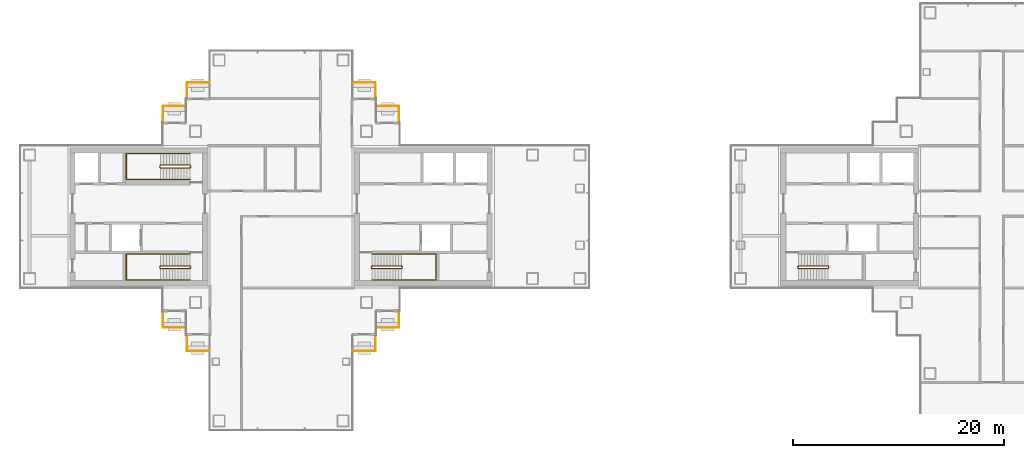
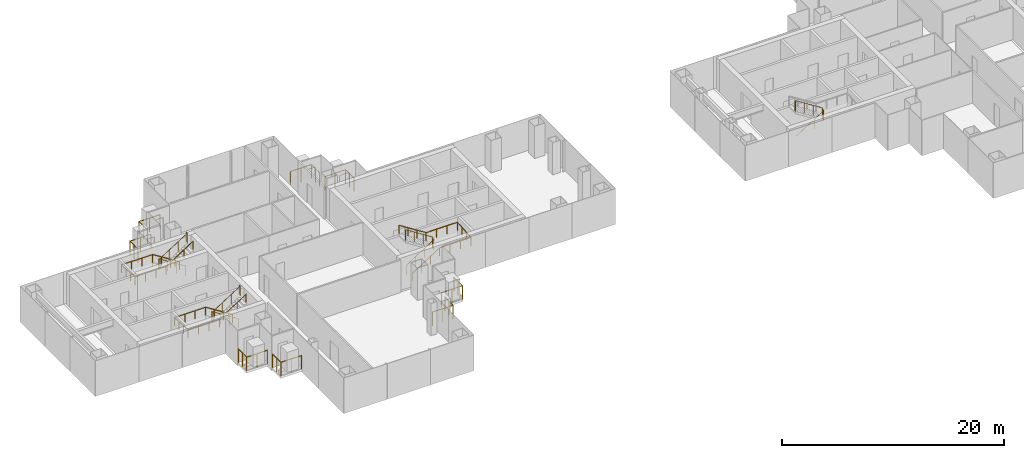
# One storey, part 14 of 16: 15 railings.
"""IFC4 building model written with IfcOpenShell, lengths in metres."""

from ifc_helpers import new_model, si_unit, direction, frame, origin, origin_2d, place, context, subcontext, project, spatial, circle, extrude, material, type_object, element, save


model = new_model("IFC4")

# Units and contexts
model_context = context("Model", 3, precision=1e-05, world=origin(), true_north=direction((0.0, 1.0)))
body_context = subcontext(model_context, "Body", "Model", "MODEL_VIEW")
ifc_project = project(units=[si_unit("LENGTHUNIT", "METRE"), si_unit("AREAUNIT", "SQUARE_METRE"), si_unit("VOLUMEUNIT", "CUBIC_METRE"), si_unit("PLANEANGLEUNIT", "RADIAN"), si_unit("MASSUNIT", "GRAM", prefix="KILO")], contexts=[model_context])

# Site, building, storey
site_placement = place(None, origin())
site = spatial("IfcSite", under=ifc_project, at=site_placement, CompositionType="ELEMENT")
building_placement = place(site_placement, origin())
building = spatial("IfcBuilding", under=site, at=building_placement, Name="Shamsa Quay Exchange Towers", CompositionType="ELEMENT")
storey_placement = place(building_placement, frame((0.0, 0.0, 154.5)))
storey = spatial("IfcBuildingStorey", under=building, at=storey_placement, Name="L36", CompositionType="ELEMENT", Elevation=154.5)

# Railings
ifc_material_1 = material(Name="Steel S355, black powder-coated", Category="steel")
railing_type_1 = type_object("IfcRailingType", Name="BALCONY GUARD 1500", PredefinedType="GUARDRAIL", material=ifc_material_1)
for number, where, name in (
    (1, (-22.550048828125, 9.02099609375, 0.0), "Balcony guard T1-PKEN L36"),
    (2, (-24.800048828125, 11.27099609375, 0.0), "Balcony guard T1-PKEN L36"),
):
    element("IfcRailing", number, at=place(storey_placement, frame(where)), inside=storey, type_object=railing_type_1, Name=name, PredefinedType="GUARDRAIL", context=body_context, shape_type="SweptSolid", body=[
        extrude(circle(Radius=0.02392578125, at=origin_2d()), frame((0.0, 0.0, 1.47607421875), z_axis=(0.0, 1.0, 0.0), x_axis=(-1.0, 0.0, 0.0)), (0.0, 0.0, 1.0), 1.47900390625),
        extrude(circle(Radius=0.02392578125, at=origin_2d()), frame((0.0, 1.47900390625, 1.47607421875), z_axis=(-1.0, 0.0, 0.0), x_axis=(0.0, -1.0, 0.0)), (0.0, 0.0, 1.0), 2.161865234375),
        extrude(circle(Radius=0.02099609375, at=origin_2d()), origin(), (0.0, 0.0, 1.0), 1.451904296875),
        extrude(circle(Radius=0.02099609375, at=origin_2d()), frame((0.0, 0.739501953125, 0.0)), (0.0, 0.0, 1.0), 1.451904296875),
        extrude(circle(Radius=0.02099609375, at=origin_2d()), frame((0.0, 1.47900390625, 0.0)), (0.0, 0.0, 1.0), 1.451904296875),
        extrude(circle(Radius=0.02099609375, at=origin_2d()), frame((-1.0810546875, 1.47900390625, 0.0)), (0.0, 0.0, 1.0), 1.451904296875),
        extrude(circle(Radius=0.02099609375, at=origin_2d()), frame((-2.161865234375, 1.47900390625, 0.0)), (0.0, 0.0, 1.0), 1.451904296875),
    ])
for number, where, name in (
    (3, (-24.7119140625, -10.5, 0.0), "Balcony guard T1-PKES L36"),
    (4, (-26.9619140625, -12.75, 0.0), "Balcony guard T1-PKES L36"),
):
    element("IfcRailing", number, at=place(storey_placement, frame(where)), inside=storey, type_object=railing_type_1, Name=name, PredefinedType="GUARDRAIL", context=body_context, shape_type="SweptSolid", body=[
        extrude(circle(Radius=0.02392578125, at=origin_2d()), frame((0.0, 0.0, 1.47607421875), z_axis=(1.0, 0.0, 0.0), x_axis=(0.0, 1.0, 0.0)), (0.0, 0.0, 1.0), 2.161865234375),
        extrude(circle(Radius=0.02392578125, at=origin_2d()), frame((2.161865234375, 0.0, 1.47607421875), z_axis=(0.0, 1.0, 0.0), x_axis=(-1.0, 0.0, 0.0)), (0.0, 0.0, 1.0), 1.47900390625),
        extrude(circle(Radius=0.02099609375, at=origin_2d()), origin(), (0.0, 0.0, 1.0), 1.451904296875),
        extrude(circle(Radius=0.02099609375, at=origin_2d()), frame((1.0810546875, 0.0, 0.0)), (0.0, 0.0, 1.0), 1.451904296875),
        extrude(circle(Radius=0.02099609375, at=origin_2d()), frame((2.161865234375, 0.0, 0.0)), (0.0, 0.0, 1.0), 1.451904296875),
        extrude(circle(Radius=0.02099609375, at=origin_2d()), frame((2.161865234375, 0.739501953125, 0.0)), (0.0, 0.0, 1.0), 1.451904296875),
        extrude(circle(Radius=0.02099609375, at=origin_2d()), frame((2.161865234375, 1.47900390625, 0.0)), (0.0, 0.0, 1.0), 1.451904296875),
    ])
for number, where, name in (
    (5, (-40.5380859375, 12.75, 0.0), "Balcony guard T1-PKWN L36"),
    (6, (-42.7880859375, 10.5, 0.0), "Balcony guard T1-PKWN L36"),
):
    element("IfcRailing", number, at=place(storey_placement, frame(where)), inside=storey, type_object=railing_type_1, Name=name, PredefinedType="GUARDRAIL", context=body_context, shape_type="SweptSolid", body=[
        extrude(circle(Radius=0.02392578125, at=origin_2d()), frame((0.0, 0.0, 1.47607421875), z_axis=(-1.0, 0.0, 0.0), x_axis=(0.0, -1.0, 0.0)), (0.0, 0.0, 1.0), 2.161865234375),
        extrude(circle(Radius=0.02392578125, at=origin_2d()), frame((-2.161865234375, 0.0, 1.47607421875), z_axis=(0.0, -1.0, 0.0), x_axis=(1.0, 0.0, 0.0)), (0.0, 0.0, 1.0), 1.47900390625),
        extrude(circle(Radius=0.02099609375, at=origin_2d()), origin(), (0.0, 0.0, 1.0), 1.451904296875),
        extrude(circle(Radius=0.02099609375, at=origin_2d()), frame((-1.0810546875, 0.0, 0.0)), (0.0, 0.0, 1.0), 1.451904296875),
        extrude(circle(Radius=0.02099609375, at=origin_2d()), frame((-2.161865234375, 0.0, 0.0)), (0.0, 0.0, 1.0), 1.451904296875),
        extrude(circle(Radius=0.02099609375, at=origin_2d()), frame((-2.161865234375, -0.739501953125, 0.0)), (0.0, 0.0, 1.0), 1.451904296875),
        extrude(circle(Radius=0.02099609375, at=origin_2d()), frame((-2.161865234375, -1.47900390625, 0.0)), (0.0, 0.0, 1.0), 1.451904296875),
    ])
for number, where, name in (
    (7, (-44.949951171875, -9.02099609375, 0.0), "Balcony guard T1-PKWS L36"),
    (8, (-42.699951171875, -11.27099609375, 0.0), "Balcony guard T1-PKWS L36"),
):
    element("IfcRailing", number, at=place(storey_placement, frame(where)), inside=storey, type_object=railing_type_1, Name=name, PredefinedType="GUARDRAIL", context=body_context, shape_type="SweptSolid", body=[
        extrude(circle(Radius=0.02392578125, at=origin_2d()), frame((0.0, 0.0, 1.47607421875), z_axis=(0.0, -1.0, 0.0), x_axis=(1.0, 0.0, 0.0)), (0.0, 0.0, 1.0), 1.47900390625),
        extrude(circle(Radius=0.02392578125, at=origin_2d()), frame((0.0, -1.47900390625, 1.47607421875), z_axis=(1.0, 0.0, 0.0), x_axis=(0.0, 1.0, 0.0)), (0.0, 0.0, 1.0), 2.161865234375),
        extrude(circle(Radius=0.02099609375, at=origin_2d()), origin(), (0.0, 0.0, 1.0), 1.451904296875),
        extrude(circle(Radius=0.02099609375, at=origin_2d()), frame((0.0, -0.739501953125, 0.0)), (0.0, 0.0, 1.0), 1.451904296875),
        extrude(circle(Radius=0.02099609375, at=origin_2d()), frame((0.0, -1.47900390625, 0.0)), (0.0, 0.0, 1.0), 1.451904296875),
        extrude(circle(Radius=0.02099609375, at=origin_2d()), frame((1.0810546875, -1.47900390625, 0.0)), (0.0, 0.0, 1.0), 1.451904296875),
        extrude(circle(Radius=0.02099609375, at=origin_2d()), frame((2.161865234375, -1.47900390625, 0.0)), (0.0, 0.0, 1.0), 1.451904296875),
    ])
ifc_material_2 = material(Name="Stainless steel", Category="steel")
railing_type_2 = type_object("IfcRailingType", Name="STAIR GUARD 1100", PredefinedType="GUARDRAIL", material=ifc_material_2)
railing_1_placement = place(storey_placement, frame((-25.10009765625, -4.89990234375, 0.17724609375)))
element("IfcRailing", 9, at=railing_1_placement, inside=storey, type_object=railing_type_2, Name="L36 ST1 stair guard 1", PredefinedType="GUARDRAIL", context=body_context, shape_type="SweptSolid", body=[
    extrude(circle(Radius=0.02392578125, at=origin_2d()), frame((0.0, 0.0, 1.076171875), z_axis=(0.844908973607, 0.0, 0.534910110503), x_axis=(0.0, 1.0, 0.0)), (0.0, 0.0, 1.0), 3.31396484375),
    extrude(circle(Radius=0.02392578125, at=origin_2d()), frame((2.800048828125, 0.0, 2.8486328125), z_axis=(0.708833529934, 0.705375805398, 0.0), x_axis=(-0.705375805398, 0.708833529934, 0.0)), (0.0, 0.0, 1.0), 0.070556640625),
    extrude(circle(Radius=0.02392578125, at=origin_2d()), frame((2.85009765625, 0.0498046875, 2.8486328125), z_axis=(0.0, 1.0, 0.0), x_axis=(-1.0, 0.0, 0.0)), (0.0, 0.0, 1.0), 0.150146484375),
    extrude(circle(Radius=0.02392578125, at=origin_2d()), frame((2.85009765625, 0.199951171875, 2.8486328125), z_axis=(-0.262233686654, 0.262233686654, 0.928691007369), x_axis=(-0.707106781187, -0.707106781187, 0.0)), (0.0, 0.0, 1.0), 0.19091796875),
    extrude(circle(Radius=0.02392578125, at=origin_2d()), frame((2.800048828125, 0.25, 3.02587890625), z_axis=(-0.844908973607, 0.0, 0.534910110503), x_axis=(0.0, -1.0, 0.0)), (0.0, 0.0, 1.0), 3.31396484375),
    extrude(circle(Radius=0.02392578125, at=origin_2d()), frame((0.0, 0.25, 4.798828125), z_axis=(-0.24142163986, -0.970420317083, 0.0), x_axis=(0.970420317083, -0.24142163986, 0.0)), (0.0, 0.0, 1.0), 0.206298828125),
    extrude(circle(Radius=0.02392578125, at=origin_2d()), frame((-0.0498046875, 0.0498046875, 4.798828125), z_axis=(0.0, 1.0, 0.0), x_axis=(-1.0, 0.0, 0.0)), (0.0, 0.0, 1.0), 0.150146484375),
    extrude(circle(Radius=0.02099609375, at=origin_2d()), origin(), (0.0, 0.0, 1.0), 1.052001953125),
    extrude(circle(Radius=0.02099609375, at=origin_2d()), frame((0.933349609375, 0.0, 0.5908203125)), (0.0, 0.0, 1.0), 1.052001953125),
    extrude(circle(Radius=0.02099609375, at=origin_2d()), frame((1.86669921875, 0.0, 1.181884765625)), (0.0, 0.0, 1.0), 1.052001953125),
    extrude(circle(Radius=0.02099609375, at=origin_2d()), frame((2.800048828125, 0.0, 1.772705078125)), (0.0, 0.0, 1.0), 1.052001953125),
    extrude(circle(Radius=0.02099609375, at=origin_2d()), frame((2.85009765625, 0.0498046875, 1.772705078125)), (0.0, 0.0, 1.0), 1.052001953125),
    extrude(circle(Radius=0.02099609375, at=origin_2d()), frame((2.85009765625, 0.199951171875, 1.772705078125)), (0.0, 0.0, 1.0), 1.052001953125),
    extrude(circle(Radius=0.02099609375, at=origin_2d()), frame((2.800048828125, 0.25, 1.949951171875)), (0.0, 0.0, 1.0), 1.052001953125),
    extrude(circle(Radius=0.02099609375, at=origin_2d()), frame((1.86669921875, 0.25, 2.540771484375)), (0.0, 0.0, 1.0), 1.052001953125),
    extrude(circle(Radius=0.02099609375, at=origin_2d()), frame((0.933349609375, 0.25, 3.1318359375)), (0.0, 0.0, 1.0), 1.052001953125),
    extrude(circle(Radius=0.02099609375, at=origin_2d()), frame((0.0, 0.25, 3.72265625)), (0.0, 0.0, 1.0), 1.052001953125),
    extrude(circle(Radius=0.02099609375, at=origin_2d()), frame((-0.0498046875, 0.0498046875, 3.72265625)), (0.0, 0.0, 1.0), 1.052001953125),
    extrude(circle(Radius=0.02099609375, at=origin_2d()), frame((-0.0498046875, 0.199951171875, 3.72265625)), (0.0, 0.0, 1.0), 1.052001953125),
])
railing_2_placement = place(storey_placement, frame((-42.39990234375, -4.64990234375, 0.17724609375)))
element("IfcRailing", 10, at=railing_2_placement, inside=storey, type_object=railing_type_2, Name="L36 ST2 stair guard 1", PredefinedType="GUARDRAIL", context=body_context, shape_type="SweptSolid", body=[
    extrude(circle(Radius=0.02392578125, at=origin_2d()), frame((0.0, 0.0, 1.076171875), z_axis=(-0.844908973607, 0.0, 0.534910110503), x_axis=(0.0, -1.0, 0.0)), (0.0, 0.0, 1.0), 3.31396484375),
    extrude(circle(Radius=0.02392578125, at=origin_2d()), frame((-2.800048828125, 0.0, 2.8486328125), z_axis=(-0.707106781187, -0.707106781187, 0.0), x_axis=(0.707106781187, -0.707106781187, 0.0)), (0.0, 0.0, 1.0), 0.07080078125),
    extrude(circle(Radius=0.02392578125, at=origin_2d()), frame((-2.85009765625, -0.050048828125, 2.8486328125), z_axis=(0.0, -1.0, 0.0), x_axis=(1.0, 0.0, 0.0)), (0.0, 0.0, 1.0), 0.150146484375),
    extrude(circle(Radius=0.02392578125, at=origin_2d()), frame((-2.85009765625, -0.2001953125, 2.8486328125), z_axis=(0.262321481514, -0.261041864531, 0.929001929653), x_axis=(0.705375805398, 0.708833529934, 0.0)), (0.0, 0.0, 1.0), 0.190673828125),
    extrude(circle(Radius=0.02392578125, at=origin_2d()), frame((-2.800048828125, -0.25, 3.02587890625), z_axis=(0.844908973607, 0.0, 0.534910110503), x_axis=(0.0, 1.0, 0.0)), (0.0, 0.0, 1.0), 3.31396484375),
    extrude(circle(Radius=0.02392578125, at=origin_2d()), frame((0.0, -0.25, 4.798828125), z_axis=(0.241699205484, 0.970351222016, 0.0), x_axis=(-0.970351222016, 0.241699205484, 0.0)), (0.0, 0.0, 1.0), 0.2060546875),
    extrude(circle(Radius=0.02392578125, at=origin_2d()), frame((0.0498046875, -0.050048828125, 4.798828125), z_axis=(0.0, -1.0, 0.0), x_axis=(1.0, 0.0, 0.0)), (0.0, 0.0, 1.0), 0.150146484375),
    extrude(circle(Radius=0.02099609375, at=origin_2d()), origin(), (0.0, 0.0, 1.0), 1.052001953125),
    extrude(circle(Radius=0.02099609375, at=origin_2d()), frame((-0.933349609375, 0.0, 0.5908203125)), (0.0, 0.0, 1.0), 1.052001953125),
    extrude(circle(Radius=0.02099609375, at=origin_2d()), frame((-1.86669921875, 0.0, 1.181884765625)), (0.0, 0.0, 1.0), 1.052001953125),
    extrude(circle(Radius=0.02099609375, at=origin_2d()), frame((-2.800048828125, 0.0, 1.772705078125)), (0.0, 0.0, 1.0), 1.052001953125),
    extrude(circle(Radius=0.02099609375, at=origin_2d()), frame((-2.85009765625, -0.050048828125, 1.772705078125)), (0.0, 0.0, 1.0), 1.052001953125),
    extrude(circle(Radius=0.02099609375, at=origin_2d()), frame((-2.85009765625, -0.2001953125, 1.772705078125)), (0.0, 0.0, 1.0), 1.052001953125),
    extrude(circle(Radius=0.02099609375, at=origin_2d()), frame((-2.800048828125, -0.25, 1.949951171875)), (0.0, 0.0, 1.0), 1.052001953125),
    extrude(circle(Radius=0.02099609375, at=origin_2d()), frame((-1.86669921875, -0.25, 2.540771484375)), (0.0, 0.0, 1.0), 1.052001953125),
    extrude(circle(Radius=0.02099609375, at=origin_2d()), frame((-0.933349609375, -0.25, 3.1318359375)), (0.0, 0.0, 1.0), 1.052001953125),
    extrude(circle(Radius=0.02099609375, at=origin_2d()), frame((0.0, -0.25, 3.72265625)), (0.0, 0.0, 1.0), 1.052001953125),
    extrude(circle(Radius=0.02099609375, at=origin_2d()), frame((0.0498046875, -0.050048828125, 3.72265625)), (0.0, 0.0, 1.0), 1.052001953125),
    extrude(circle(Radius=0.02099609375, at=origin_2d()), frame((0.0498046875, -0.2001953125, 3.72265625)), (0.0, 0.0, 1.0), 1.052001953125),
])
railing_3_placement = place(storey_placement, frame((-42.39990234375, 4.89990234375, 0.17724609375)))
element("IfcRailing", 11, at=railing_3_placement, inside=storey, type_object=railing_type_2, Name="L36 ST3 stair guard 1", PredefinedType="GUARDRAIL", context=body_context, shape_type="SweptSolid", body=[
    extrude(circle(Radius=0.02392578125, at=origin_2d()), frame((0.0, 0.0, 1.076171875), z_axis=(-0.844908973607, 0.0, 0.534910110503), x_axis=(0.0, -1.0, 0.0)), (0.0, 0.0, 1.0), 3.31396484375),
    extrude(circle(Radius=0.02392578125, at=origin_2d()), frame((-2.800048828125, 0.0, 2.8486328125), z_axis=(-0.708833529934, -0.705375805398, 0.0), x_axis=(0.705375805398, -0.708833529934, 0.0)), (0.0, 0.0, 1.0), 0.070556640625),
    extrude(circle(Radius=0.02392578125, at=origin_2d()), frame((-2.85009765625, -0.0498046875, 2.8486328125), z_axis=(0.0, -1.0, 0.0), x_axis=(1.0, 0.0, 0.0)), (0.0, 0.0, 1.0), 0.150146484375),
    extrude(circle(Radius=0.02392578125, at=origin_2d()), frame((-2.85009765625, -0.199951171875, 2.8486328125), z_axis=(0.262233686654, -0.262233686654, 0.928691007369), x_axis=(0.707106781187, 0.707106781187, 0.0)), (0.0, 0.0, 1.0), 0.19091796875),
    extrude(circle(Radius=0.02392578125, at=origin_2d()), frame((-2.800048828125, -0.25, 3.02587890625), z_axis=(0.844908973607, 0.0, 0.534910110503), x_axis=(0.0, 1.0, 0.0)), (0.0, 0.0, 1.0), 3.31396484375),
    extrude(circle(Radius=0.02392578125, at=origin_2d()), frame((0.0, -0.25, 4.798828125), z_axis=(0.24142163986, 0.970420317083, 0.0), x_axis=(-0.970420317083, 0.24142163986, 0.0)), (0.0, 0.0, 1.0), 0.206298828125),
    extrude(circle(Radius=0.02392578125, at=origin_2d()), frame((0.0498046875, -0.0498046875, 4.798828125), z_axis=(0.0, -1.0, 0.0), x_axis=(1.0, 0.0, 0.0)), (0.0, 0.0, 1.0), 0.150146484375),
    extrude(circle(Radius=0.02099609375, at=origin_2d()), origin(), (0.0, 0.0, 1.0), 1.052001953125),
    extrude(circle(Radius=0.02099609375, at=origin_2d()), frame((-0.933349609375, 0.0, 0.5908203125)), (0.0, 0.0, 1.0), 1.052001953125),
    extrude(circle(Radius=0.02099609375, at=origin_2d()), frame((-1.86669921875, 0.0, 1.181884765625)), (0.0, 0.0, 1.0), 1.052001953125),
    extrude(circle(Radius=0.02099609375, at=origin_2d()), frame((-2.800048828125, 0.0, 1.772705078125)), (0.0, 0.0, 1.0), 1.052001953125),
    extrude(circle(Radius=0.02099609375, at=origin_2d()), frame((-2.85009765625, -0.0498046875, 1.772705078125)), (0.0, 0.0, 1.0), 1.052001953125),
    extrude(circle(Radius=0.02099609375, at=origin_2d()), frame((-2.85009765625, -0.199951171875, 1.772705078125)), (0.0, 0.0, 1.0), 1.052001953125),
    extrude(circle(Radius=0.02099609375, at=origin_2d()), frame((-2.800048828125, -0.25, 1.949951171875)), (0.0, 0.0, 1.0), 1.052001953125),
    extrude(circle(Radius=0.02099609375, at=origin_2d()), frame((-1.86669921875, -0.25, 2.540771484375)), (0.0, 0.0, 1.0), 1.052001953125),
    extrude(circle(Radius=0.02099609375, at=origin_2d()), frame((-0.933349609375, -0.25, 3.1318359375)), (0.0, 0.0, 1.0), 1.052001953125),
    extrude(circle(Radius=0.02099609375, at=origin_2d()), frame((0.0, -0.25, 3.72265625)), (0.0, 0.0, 1.0), 1.052001953125),
    extrude(circle(Radius=0.02099609375, at=origin_2d()), frame((0.0498046875, -0.0498046875, 3.72265625)), (0.0, 0.0, 1.0), 1.052001953125),
    extrude(circle(Radius=0.02099609375, at=origin_2d()), frame((0.0498046875, -0.199951171875, 3.72265625)), (0.0, 0.0, 1.0), 1.052001953125),
])
railing_4_placement = place(storey_placement, frame((15.39990234375, -4.89990234375, 0.17724609375)))
element("IfcRailing", 12, at=railing_4_placement, inside=storey, type_object=railing_type_2, Name="L36 ST4 stair guard 1", PredefinedType="GUARDRAIL", context=body_context, shape_type="SweptSolid", body=[
    extrude(circle(Radius=0.02392578125, at=origin_2d()), frame((0.0, 0.0, 1.076171875), z_axis=(0.844908973607, 0.0, 0.534910110503), x_axis=(0.0, 1.0, 0.0)), (0.0, 0.0, 1.0), 3.31396484375),
    extrude(circle(Radius=0.02392578125, at=origin_2d()), frame((2.800048828125, 0.0, 2.8486328125), z_axis=(0.708833529934, 0.705375805398, 0.0), x_axis=(-0.705375805398, 0.708833529934, 0.0)), (0.0, 0.0, 1.0), 0.070556640625),
    extrude(circle(Radius=0.02392578125, at=origin_2d()), frame((2.85009765625, 0.0498046875, 2.8486328125), z_axis=(0.0, 1.0, 0.0), x_axis=(-1.0, 0.0, 0.0)), (0.0, 0.0, 1.0), 0.150146484375),
    extrude(circle(Radius=0.02392578125, at=origin_2d()), frame((2.85009765625, 0.199951171875, 2.8486328125), z_axis=(-0.262233686654, 0.262233686654, 0.928691007369), x_axis=(-0.707106781187, -0.707106781187, 0.0)), (0.0, 0.0, 1.0), 0.19091796875),
    extrude(circle(Radius=0.02392578125, at=origin_2d()), frame((2.800048828125, 0.25, 3.02587890625), z_axis=(-0.844908973607, 0.0, 0.534910110503), x_axis=(0.0, -1.0, 0.0)), (0.0, 0.0, 1.0), 3.31396484375),
    extrude(circle(Radius=0.02392578125, at=origin_2d()), frame((0.0, 0.25, 4.798828125), z_axis=(-0.24142163986, -0.970420317083, 0.0), x_axis=(0.970420317083, -0.24142163986, 0.0)), (0.0, 0.0, 1.0), 0.206298828125),
    extrude(circle(Radius=0.02392578125, at=origin_2d()), frame((-0.0498046875, 0.0498046875, 4.798828125), z_axis=(0.0, 1.0, 0.0), x_axis=(-1.0, 0.0, 0.0)), (0.0, 0.0, 1.0), 0.150146484375),
    extrude(circle(Radius=0.02099609375, at=origin_2d()), origin(), (0.0, 0.0, 1.0), 1.052001953125),
    extrude(circle(Radius=0.02099609375, at=origin_2d()), frame((0.933349609375, 0.0, 0.5908203125)), (0.0, 0.0, 1.0), 1.052001953125),
    extrude(circle(Radius=0.02099609375, at=origin_2d()), frame((1.86669921875, 0.0, 1.181884765625)), (0.0, 0.0, 1.0), 1.052001953125),
    extrude(circle(Radius=0.02099609375, at=origin_2d()), frame((2.800048828125, 0.0, 1.772705078125)), (0.0, 0.0, 1.0), 1.052001953125),
    extrude(circle(Radius=0.02099609375, at=origin_2d()), frame((2.85009765625, 0.0498046875, 1.772705078125)), (0.0, 0.0, 1.0), 1.052001953125),
    extrude(circle(Radius=0.02099609375, at=origin_2d()), frame((2.85009765625, 0.199951171875, 1.772705078125)), (0.0, 0.0, 1.0), 1.052001953125),
    extrude(circle(Radius=0.02099609375, at=origin_2d()), frame((2.800048828125, 0.25, 1.949951171875)), (0.0, 0.0, 1.0), 1.052001953125),
    extrude(circle(Radius=0.02099609375, at=origin_2d()), frame((1.86669921875, 0.25, 2.540771484375)), (0.0, 0.0, 1.0), 1.052001953125),
    extrude(circle(Radius=0.02099609375, at=origin_2d()), frame((0.933349609375, 0.25, 3.1318359375)), (0.0, 0.0, 1.0), 1.052001953125),
    extrude(circle(Radius=0.02099609375, at=origin_2d()), frame((0.0, 0.25, 3.72265625)), (0.0, 0.0, 1.0), 1.052001953125),
    extrude(circle(Radius=0.02099609375, at=origin_2d()), frame((-0.0498046875, 0.0498046875, 3.72265625)), (0.0, 0.0, 1.0), 1.052001953125),
    extrude(circle(Radius=0.02099609375, at=origin_2d()), frame((-0.0498046875, 0.199951171875, 3.72265625)), (0.0, 0.0, 1.0), 1.052001953125),
])
railing_type_3 = type_object("IfcRailingType", Name="STAIR HANDRAIL 900", PredefinedType="HANDRAIL", material=ifc_material_2)
railing_5_placement = place(storey_placement, frame((-25.10009765625, -6.0, 0.17724609375)))
element("IfcRailing", 13, at=railing_5_placement, inside=storey, type_object=railing_type_3, Name="L36 ST1 stair handrail 1", PredefinedType="HANDRAIL", context=body_context, shape_type="SweptSolid", body=[
    extrude(circle(Radius=0.02392578125, at=origin_2d()), frame((0.0, 0.0, 0.8759765625), z_axis=(0.844908973607, 0.0, 0.534910110503), x_axis=(0.0, 1.0, 0.0)), (0.0, 0.0, 1.0), 3.31396484375),
    extrude(circle(Radius=0.02392578125, at=origin_2d()), frame((2.800048828125, 0.0, 2.6484375), z_axis=(1.0, 0.0, 0.0), x_axis=(0.0, 1.0, 0.0)), (0.0, 0.0, 1.0), 3.25),
    extrude(circle(Radius=0.02392578125, at=origin_2d()), frame((6.050048828125, 0.0, 2.6484375), z_axis=(0.0, 0.997393199914, 0.07215819264), x_axis=(-1.0, 0.0, 0.0)), (0.0, 0.0, 1.0), 2.456298828125),
    extrude(circle(Radius=0.02392578125, at=origin_2d()), frame((6.050048828125, 2.449951171875, 2.82568359375), z_axis=(-1.0, 0.0, 0.0), x_axis=(0.0, -1.0, 0.0)), (0.0, 0.0, 1.0), 3.25),
    extrude(circle(Radius=0.02392578125, at=origin_2d()), frame((2.800048828125, 2.449951171875, 2.82568359375), z_axis=(-0.844908973607, 0.0, 0.534910110503), x_axis=(0.0, -1.0, 0.0)), (0.0, 0.0, 1.0), 3.31396484375),
    extrude(circle(Radius=0.02099609375, at=origin_2d()), origin(), (0.0, 0.0, 1.0), 0.851806640625),
    extrude(circle(Radius=0.02099609375, at=origin_2d()), frame((0.933349609375, 0.0, 0.5908203125)), (0.0, 0.0, 1.0), 0.851806640625),
    extrude(circle(Radius=0.02099609375, at=origin_2d()), frame((1.86669921875, 0.0, 1.181884765625)), (0.0, 0.0, 1.0), 0.851806640625),
    extrude(circle(Radius=0.02099609375, at=origin_2d()), frame((2.800048828125, 0.0, 1.772705078125)), (0.0, 0.0, 1.0), 0.851806640625),
    extrude(circle(Radius=0.02099609375, at=origin_2d()), frame((3.88330078125, 0.0, 1.772705078125)), (0.0, 0.0, 1.0), 0.851806640625),
    extrude(circle(Radius=0.02099609375, at=origin_2d()), frame((4.966796875, 0.0, 1.772705078125)), (0.0, 0.0, 1.0), 0.851806640625),
    extrude(circle(Radius=0.02099609375, at=origin_2d()), frame((6.050048828125, 0.0, 1.772705078125)), (0.0, 0.0, 1.0), 0.851806640625),
    extrude(circle(Radius=0.02099609375, at=origin_2d()), frame((6.050048828125, 0.816650390625, 1.831787109375)), (0.0, 0.0, 1.0), 0.851806640625),
    extrude(circle(Radius=0.02099609375, at=origin_2d()), frame((6.050048828125, 1.63330078125, 1.890869140625)), (0.0, 0.0, 1.0), 0.851806640625),
    extrude(circle(Radius=0.02099609375, at=origin_2d()), frame((6.050048828125, 2.449951171875, 1.949951171875)), (0.0, 0.0, 1.0), 0.851806640625),
    extrude(circle(Radius=0.02099609375, at=origin_2d()), frame((4.966796875, 2.449951171875, 1.949951171875)), (0.0, 0.0, 1.0), 0.851806640625),
    extrude(circle(Radius=0.02099609375, at=origin_2d()), frame((3.88330078125, 2.449951171875, 1.949951171875)), (0.0, 0.0, 1.0), 0.851806640625),
    extrude(circle(Radius=0.02099609375, at=origin_2d()), frame((2.800048828125, 2.449951171875, 1.949951171875)), (0.0, 0.0, 1.0), 0.851806640625),
    extrude(circle(Radius=0.02099609375, at=origin_2d()), frame((1.86669921875, 2.449951171875, 2.540771484375)), (0.0, 0.0, 1.0), 0.851806640625),
    extrude(circle(Radius=0.02099609375, at=origin_2d()), frame((0.933349609375, 2.449951171875, 3.1318359375)), (0.0, 0.0, 1.0), 0.851806640625),
    extrude(circle(Radius=0.02099609375, at=origin_2d()), frame((0.0, 2.449951171875, 3.72265625)), (0.0, 0.0, 1.0), 0.851806640625),
])
railing_6_placement = place(storey_placement, frame((-42.39990234375, -3.550048828125, 0.17724609375)))
element("IfcRailing", 14, at=railing_6_placement, inside=storey, type_object=railing_type_3, Name="L36 ST2 stair handrail 1", PredefinedType="HANDRAIL", context=body_context, shape_type="SweptSolid", body=[
    extrude(circle(Radius=0.02392578125, at=origin_2d()), frame((0.0, 0.0, 0.8759765625), z_axis=(-0.844908973607, 0.0, 0.534910110503), x_axis=(0.0, -1.0, 0.0)), (0.0, 0.0, 1.0), 3.31396484375),
    extrude(circle(Radius=0.02392578125, at=origin_2d()), frame((-2.800048828125, 0.0, 2.6484375), z_axis=(-1.0, 0.0, 0.0), x_axis=(0.0, -1.0, 0.0)), (0.0, 0.0, 1.0), 3.25),
    extrude(circle(Radius=0.02392578125, at=origin_2d()), frame((-6.050048828125, 0.0, 2.6484375), z_axis=(0.0, -0.997393199914, 0.07215819264), x_axis=(1.0, 0.0, 0.0)), (0.0, 0.0, 1.0), 2.456298828125),
    extrude(circle(Radius=0.02392578125, at=origin_2d()), frame((-6.050048828125, -2.449951171875, 2.82568359375), z_axis=(1.0, 0.0, 0.0), x_axis=(0.0, 1.0, 0.0)), (0.0, 0.0, 1.0), 3.25),
    extrude(circle(Radius=0.02392578125, at=origin_2d()), frame((-2.800048828125, -2.449951171875, 2.82568359375), z_axis=(0.844908973607, 0.0, 0.534910110503), x_axis=(0.0, 1.0, 0.0)), (0.0, 0.0, 1.0), 3.31396484375),
    extrude(circle(Radius=0.02099609375, at=origin_2d()), origin(), (0.0, 0.0, 1.0), 0.851806640625),
    extrude(circle(Radius=0.02099609375, at=origin_2d()), frame((-0.933349609375, 0.0, 0.5908203125)), (0.0, 0.0, 1.0), 0.851806640625),
    extrude(circle(Radius=0.02099609375, at=origin_2d()), frame((-1.86669921875, 0.0, 1.181884765625)), (0.0, 0.0, 1.0), 0.851806640625),
    extrude(circle(Radius=0.02099609375, at=origin_2d()), frame((-2.800048828125, 0.0, 1.772705078125)), (0.0, 0.0, 1.0), 0.851806640625),
    extrude(circle(Radius=0.02099609375, at=origin_2d()), frame((-3.88330078125, 0.0, 1.772705078125)), (0.0, 0.0, 1.0), 0.851806640625),
    extrude(circle(Radius=0.02099609375, at=origin_2d()), frame((-4.966796875, 0.0, 1.772705078125)), (0.0, 0.0, 1.0), 0.851806640625),
    extrude(circle(Radius=0.02099609375, at=origin_2d()), frame((-6.050048828125, 0.0, 1.772705078125)), (0.0, 0.0, 1.0), 0.851806640625),
    extrude(circle(Radius=0.02099609375, at=origin_2d()), frame((-6.050048828125, -0.816650390625, 1.831787109375)), (0.0, 0.0, 1.0), 0.851806640625),
    extrude(circle(Radius=0.02099609375, at=origin_2d()), frame((-6.050048828125, -1.63330078125, 1.890869140625)), (0.0, 0.0, 1.0), 0.851806640625),
    extrude(circle(Radius=0.02099609375, at=origin_2d()), frame((-6.050048828125, -2.449951171875, 1.949951171875)), (0.0, 0.0, 1.0), 0.851806640625),
    extrude(circle(Radius=0.02099609375, at=origin_2d()), frame((-4.966796875, -2.449951171875, 1.949951171875)), (0.0, 0.0, 1.0), 0.851806640625),
    extrude(circle(Radius=0.02099609375, at=origin_2d()), frame((-3.88330078125, -2.449951171875, 1.949951171875)), (0.0, 0.0, 1.0), 0.851806640625),
    extrude(circle(Radius=0.02099609375, at=origin_2d()), frame((-2.800048828125, -2.449951171875, 1.949951171875)), (0.0, 0.0, 1.0), 0.851806640625),
    extrude(circle(Radius=0.02099609375, at=origin_2d()), frame((-1.86669921875, -2.449951171875, 2.540771484375)), (0.0, 0.0, 1.0), 0.851806640625),
    extrude(circle(Radius=0.02099609375, at=origin_2d()), frame((-0.933349609375, -2.449951171875, 3.1318359375)), (0.0, 0.0, 1.0), 0.851806640625),
    extrude(circle(Radius=0.02099609375, at=origin_2d()), frame((0.0, -2.449951171875, 3.72265625)), (0.0, 0.0, 1.0), 0.851806640625),
])
railing_7_placement = place(storey_placement, frame((-42.39990234375, 6.0, 0.17724609375)))
element("IfcRailing", 15, at=railing_7_placement, inside=storey, type_object=railing_type_3, Name="L36 ST3 stair handrail 1", PredefinedType="HANDRAIL", context=body_context, shape_type="SweptSolid", body=[
    extrude(circle(Radius=0.02392578125, at=origin_2d()), frame((0.0, 0.0, 0.8759765625), z_axis=(-0.844908973607, 0.0, 0.534910110503), x_axis=(0.0, -1.0, 0.0)), (0.0, 0.0, 1.0), 3.31396484375),
    extrude(circle(Radius=0.02392578125, at=origin_2d()), frame((-2.800048828125, 0.0, 2.6484375), z_axis=(-1.0, 0.0, 0.0), x_axis=(0.0, -1.0, 0.0)), (0.0, 0.0, 1.0), 3.25),
    extrude(circle(Radius=0.02392578125, at=origin_2d()), frame((-6.050048828125, 0.0, 2.6484375), z_axis=(0.0, -0.997393199914, 0.07215819264), x_axis=(1.0, 0.0, 0.0)), (0.0, 0.0, 1.0), 2.456298828125),
    extrude(circle(Radius=0.02392578125, at=origin_2d()), frame((-6.050048828125, -2.449951171875, 2.82568359375), z_axis=(1.0, 0.0, 0.0), x_axis=(0.0, 1.0, 0.0)), (0.0, 0.0, 1.0), 3.25),
    extrude(circle(Radius=0.02392578125, at=origin_2d()), frame((-2.800048828125, -2.449951171875, 2.82568359375), z_axis=(0.844908973607, 0.0, 0.534910110503), x_axis=(0.0, 1.0, 0.0)), (0.0, 0.0, 1.0), 3.31396484375),
    extrude(circle(Radius=0.02099609375, at=origin_2d()), origin(), (0.0, 0.0, 1.0), 0.851806640625),
    extrude(circle(Radius=0.02099609375, at=origin_2d()), frame((-0.933349609375, 0.0, 0.5908203125)), (0.0, 0.0, 1.0), 0.851806640625),
    extrude(circle(Radius=0.02099609375, at=origin_2d()), frame((-1.86669921875, 0.0, 1.181884765625)), (0.0, 0.0, 1.0), 0.851806640625),
    extrude(circle(Radius=0.02099609375, at=origin_2d()), frame((-2.800048828125, 0.0, 1.772705078125)), (0.0, 0.0, 1.0), 0.851806640625),
    extrude(circle(Radius=0.02099609375, at=origin_2d()), frame((-3.88330078125, 0.0, 1.772705078125)), (0.0, 0.0, 1.0), 0.851806640625),
    extrude(circle(Radius=0.02099609375, at=origin_2d()), frame((-4.966796875, 0.0, 1.772705078125)), (0.0, 0.0, 1.0), 0.851806640625),
    extrude(circle(Radius=0.02099609375, at=origin_2d()), frame((-6.050048828125, 0.0, 1.772705078125)), (0.0, 0.0, 1.0), 0.851806640625),
    extrude(circle(Radius=0.02099609375, at=origin_2d()), frame((-6.050048828125, -0.816650390625, 1.831787109375)), (0.0, 0.0, 1.0), 0.851806640625),
    extrude(circle(Radius=0.02099609375, at=origin_2d()), frame((-6.050048828125, -1.63330078125, 1.890869140625)), (0.0, 0.0, 1.0), 0.851806640625),
    extrude(circle(Radius=0.02099609375, at=origin_2d()), frame((-6.050048828125, -2.449951171875, 1.949951171875)), (0.0, 0.0, 1.0), 0.851806640625),
    extrude(circle(Radius=0.02099609375, at=origin_2d()), frame((-4.966796875, -2.449951171875, 1.949951171875)), (0.0, 0.0, 1.0), 0.851806640625),
    extrude(circle(Radius=0.02099609375, at=origin_2d()), frame((-3.88330078125, -2.449951171875, 1.949951171875)), (0.0, 0.0, 1.0), 0.851806640625),
    extrude(circle(Radius=0.02099609375, at=origin_2d()), frame((-2.800048828125, -2.449951171875, 1.949951171875)), (0.0, 0.0, 1.0), 0.851806640625),
    extrude(circle(Radius=0.02099609375, at=origin_2d()), frame((-1.86669921875, -2.449951171875, 2.540771484375)), (0.0, 0.0, 1.0), 0.851806640625),
    extrude(circle(Radius=0.02099609375, at=origin_2d()), frame((-0.933349609375, -2.449951171875, 3.1318359375)), (0.0, 0.0, 1.0), 0.851806640625),
    extrude(circle(Radius=0.02099609375, at=origin_2d()), frame((0.0, -2.449951171875, 3.72265625)), (0.0, 0.0, 1.0), 0.851806640625),
])

save(model, "model.ifc")
